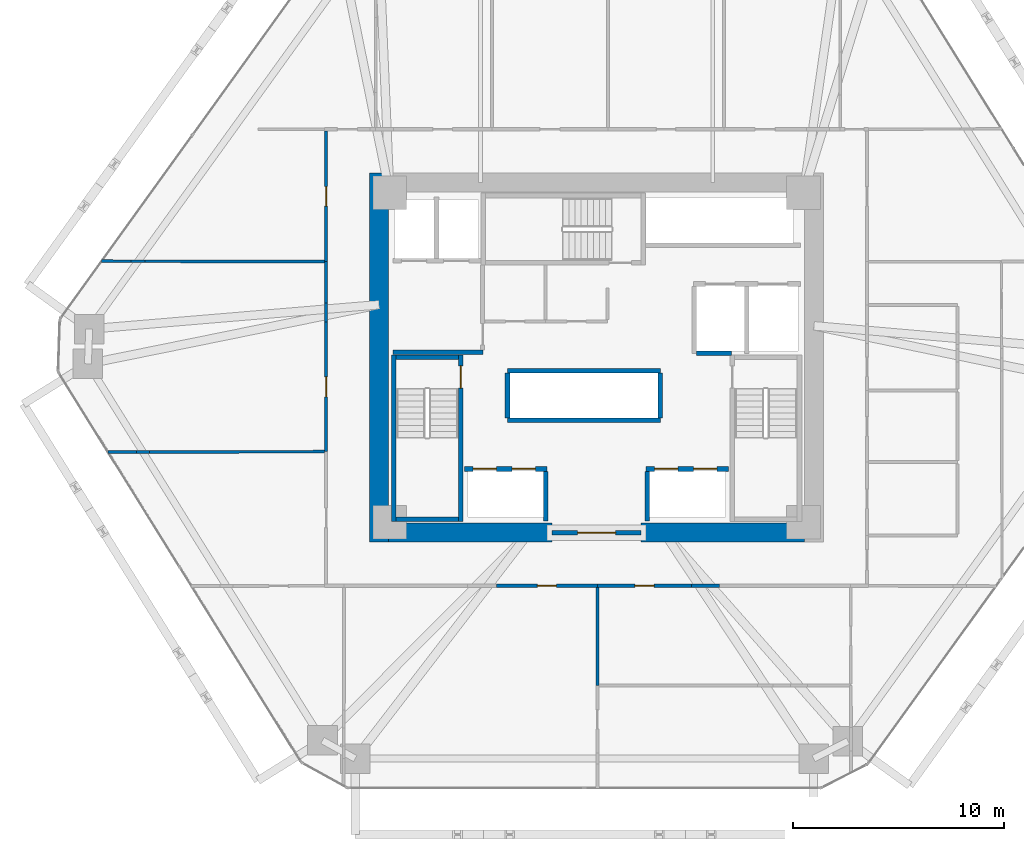
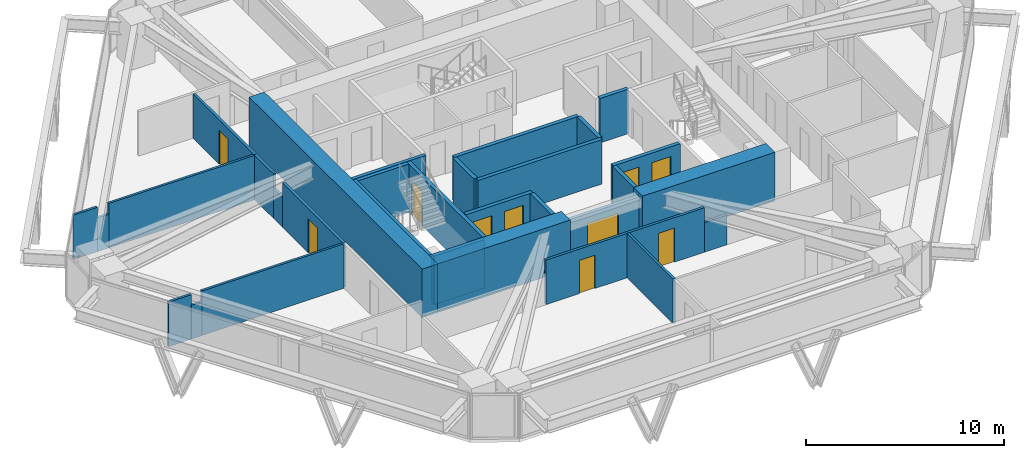
# One storey, part 11 of 15: 32 walls, 10 doors, 10 openings.
"""IFC4 building model written with IfcOpenShell, lengths in metres."""

from ifc_helpers import new_model, si_unit, direction, frame, frame_2d, origin, place, context, subcontext, project, spatial, rectangle, extrude, source, transform, mapped, material, layer, layer_set, type_object, type_shapes, element, fill, save


model = new_model("IFC4")

# Units and contexts
model_context = context("Model", 3, precision=1e-05, world=origin(), true_north=direction((0.0, 1.0)))
body_context = subcontext(model_context, "Body", "Model", "MODEL_VIEW")
ifc_project = project(units=[si_unit("LENGTHUNIT", "METRE"), si_unit("AREAUNIT", "SQUARE_METRE"), si_unit("VOLUMEUNIT", "CUBIC_METRE"), si_unit("PLANEANGLEUNIT", "RADIAN"), si_unit("MASSUNIT", "GRAM", prefix="KILO")], contexts=[model_context])

# Site, building, storey
site_placement = place(None, origin())
site = spatial("IfcSite", under=ifc_project, at=site_placement, CompositionType="ELEMENT")
building_placement = place(site_placement, origin())
building = spatial("IfcBuilding", under=site, at=building_placement, Name="Durnholm Broadcast Tower", CompositionType="ELEMENT")
storey_placement = place(building_placement, frame((0.0, 0.0, 75.300048828125)))
storey = spatial("IfcBuildingStorey", under=building, at=storey_placement, Name="L19", CompositionType="ELEMENT", Elevation=75.300048828125)

# Walls
ifc_material_1 = material(Name="Concrete C70/85", Category="concrete")
ifc_layer_1 = layer(ifc_material_1, 0.89990234375)
ifc_layer_set_1 = layer_set([ifc_layer_1], Name="Concrete C70/85")
wall_type_1 = type_object("IfcWallType", Name="WALL-CW-900", PredefinedType="SHEAR", material=ifc_layer_set_1)
wall_1_placement = place(storey_placement, frame((-10.300048828125, -8.75, 0.0), z_axis=(0.0, 0.0, 1.0), x_axis=(0.0, 1.0, 0.0)))
element("IfcWall", 1, at=wall_1_placement, inside=storey, type_object=wall_type_1, Name="L19 central core shear wall CW-WEST", PredefinedType="SHEAR", context=body_context, shape_type="SweptSolid", body=[
    extrude(rectangle(XDim=17.5, YDim=0.89990234375, at=frame_2d((8.75, 0.0))), origin(), (0.0, 0.0, 1.0), 3.0),
])
for number, where, z_axis, x_axis, name in (
    (2, (-9.85009765625, -8.300048828125, 0.0), (0.0, 0.0, 1.0), (1.0, 0.0, 0.0), "L19 central core shear wall CW-S1"),
    (3, (2.10009765625, -8.300048828125, 0.0), (0.0, 0.0, 1.0), (1.0, 0.0, 0.0), "L19 central core shear wall CW-S2"),
):
    element("IfcWall", number, at=place(storey_placement, frame(where, z_axis=z_axis, x_axis=x_axis)), inside=storey, type_object=wall_type_1, Name=name, PredefinedType="SHEAR", context=body_context, shape_type="SweptSolid", body=[
        extrude(rectangle(XDim=7.75, YDim=0.89990234375, at=frame_2d((3.875, 0.0))), origin(), (0.0, 0.0, 1.0), 3.0),
    ])

# Wall, opening, door
ifc_material_2 = material(Name="Fire-Rated Gypsum Shaftwall", Category="concrete")
ifc_layer_2 = layer(ifc_material_2, 0.199951171875)
ifc_layer_set_2 = layer_set([ifc_layer_2], Name="Fire-Rated Gypsum Shaftwall")
wall_type_2 = type_object("IfcWallType", Name="WALL-LOB-200", PredefinedType="SOLIDWALL", material=ifc_layer_set_2)
wall_2_placement = place(storey_placement, frame((-2.10009765625, -8.300048828125, 0.0), z_axis=(0.0, 0.0, 1.0), x_axis=(1.0, 0.0, 0.0)))
wall_2 = element("IfcWall", 4, at=wall_2_placement, inside=storey, type_object=wall_type_2, Name="L19 south core lobby fire screen", PredefinedType="SOLIDWALL", context=body_context, shape_type="SweptSolid", body=[
    extrude(rectangle(XDim=4.2001953125, YDim=0.199951171875, at=frame_2d((2.10009765625, 0.0))), origin(), (0.0, 0.0, 1.0), 2.744873046875),
])
opening_1_placement = place(wall_2_placement, frame((1.199951171875, 0.0, 0.0)))
opening_1 = element("IfcOpeningElement", 5, at=opening_1_placement, cuts=wall_2, Name="Opening DP-60", PredefinedType="OPENING", context=body_context, shape_type="SweptSolid", body=[
    extrude(rectangle(XDim=1.800048828125, YDim=2.14990234375, at=frame_2d((0.89990234375, 1.074951171875))), frame((0.0, 0.10986328125, 0.0), z_axis=(0.0, -1.0, 0.0), x_axis=(1.0, 0.0, 0.0)), (0.0, 0.0, 1.0), 0.219970703125),
])
ifc_material_3 = material(Name="Fire-Rated Double Corridor Door", Category="steel")
ifc_layer_3 = layer(ifc_material_3, 0.050048828125)
ifc_layer_set_3 = layer_set([ifc_layer_3], Name="Fire-Rated Double Corridor Door")
door_type_1 = type_object("IfcDoorType", Name="DOOR-PAIR-FD60", OperationType="DOUBLE_DOOR_SINGLE_SWING", PredefinedType="DOOR", material=ifc_layer_set_3)
shared_shape_1 = source(origin(), body_context, "Body", "SweptSolid", [
    extrude(rectangle(XDim=1.800048828125, YDim=2.14990234375, at=frame_2d((0.89990234375, 1.074951171875))), frame((0.0, 0.02490234375, 0.0), z_axis=(0.0, -1.0, 0.0), x_axis=(1.0, 0.0, 0.0)), (0.0, 0.0, 1.0), 0.050048828125),
])
type_shapes(door_type_1, [shared_shape_1])
door_1_placement = place(opening_1_placement, origin())
door_1 = element("IfcDoor", 6, at=door_1_placement, inside=storey, type_object=door_type_1, Name="L19 south core lobby double fire door", OperationType="DOUBLE_DOOR_SINGLE_SWING", OverallHeight=2.14990234375, OverallWidth=1.800048828125, PredefinedType="DOOR", context=body_context, shape_type="MappedRepresentation", body=[
    mapped(shared_shape_1, transform((0.0, 0.0, 0.0), x_axis=(1.0, 0.0, 0.0), y_axis=(0.0, 1.0, 0.0), z_axis=(0.0, 0.0, 1.0), scale=1.0)),
])
fill(opening_1, door_1)

# Walls
wall_3_placement = place(storey_placement, frame((-9.64990234375, 0.25, 0.0), z_axis=(0.0, 0.0, 1.0), x_axis=(1.0, 0.0, 0.0)))
element("IfcWall", 7, at=wall_3_placement, inside=storey, type_object=wall_type_2, Name="L19 Fire Service Access Elevator lobby south wall", PredefinedType="SOLIDWALL", context=body_context, shape_type="SweptSolid", body=[
    extrude(rectangle(XDim=4.27001953125, YDim=0.199951171875, at=frame_2d((2.135009765625, 0.0))), origin(), (0.0, 0.0, 1.0), 2.744873046875),
])
ifc_material_4 = material(Name="Gypsum Metal Stud Partition", Category="concrete")
ifc_layer_4 = layer(ifc_material_4, 0.135009765625)
ifc_layer_set_4 = layer_set([ifc_layer_4], Name="Gypsum Metal Stud Partition")
wall_type_3 = type_object("IfcWallType", Name="WALL-PART-135", PredefinedType="PARTITIONING", material=ifc_layer_set_4)
wall_4_placement = place(storey_placement, frame((0.0400390625, -10.888916015625, 0.0), z_axis=(0.0, 0.0, 1.0), x_axis=(0.0, -1.0, 0.0)))
element("IfcWall", 8, at=wall_4_placement, inside=storey, type_object=wall_type_3, Name="L19 room dividing partition 13.15", PredefinedType="PARTITIONING", context=body_context, shape_type="SweptSolid", body=[
    extrude(rectangle(XDim=4.656005859375, YDim=0.135009765625, at=frame_2d((2.328125, 0.0))), origin(), (0.0, 0.0, 1.0), 2.744873046875),
])
wall_5_placement = place(storey_placement, frame((-23.13623046875, -4.481201171875, 0.0), z_axis=(0.0, 0.0, 1.0), x_axis=(0.999997979486, 0.002010229856, 0.0)))
element("IfcWall", 9, at=wall_5_placement, inside=storey, type_object=wall_type_3, Name="L19 room dividing partition 17.18", PredefinedType="PARTITIONING", context=body_context, shape_type="SweptSolid", body=[
    extrude(rectangle(XDim=1.3359375, YDim=0.135009765625, at=frame_2d((0.66796875, 0.0))), origin(), (0.0, 0.0, 1.0), 2.744873046875),
])
wall_6_placement = place(storey_placement, frame((-21.177978515625, -4.47705078125, 0.0), z_axis=(0.0, 0.0, 1.0), x_axis=(0.999997934924, 0.00203227667, 0.0)))
element("IfcWall", 10, at=wall_6_placement, inside=storey, type_object=wall_type_3, Name="L19 room dividing partition 17.18", PredefinedType="PARTITIONING", context=body_context, shape_type="SweptSolid", body=[
    extrude(rectangle(XDim=8.2890625, YDim=0.135009765625, at=frame_2d((4.14453125, 0.0))), origin(), (0.0, 0.0, 1.0), 2.744873046875),
])
wall_7_placement = place(storey_placement, frame((-21.80029296875, -4.478515625, 0.0), z_axis=(0.0, 0.0, 1.0), x_axis=(0.999997229673, 0.00235385774, 0.0)))
element("IfcWall", 11, at=wall_7_placement, inside=storey, type_object=wall_type_3, Name="L19 room dividing partition 17.18", PredefinedType="PARTITIONING", context=body_context, shape_type="SweptSolid", body=[
    extrude(rectangle(XDim=0.622314453125, YDim=0.135009765625, at=frame_2d((0.31103515625, 0.0))), origin(), (0.0, 0.0, 1.0), 2.079833984375),
])
wall_8_placement = place(storey_placement, frame((-23.4423828125, 4.5634765625, 0.0), z_axis=(0.0, 0.0, 1.0), x_axis=(0.999997421875, -0.002270736504, 0.0)))
element("IfcWall", 12, at=wall_8_placement, inside=storey, type_object=wall_type_3, Name="L19 room dividing partition 18.19", PredefinedType="PARTITIONING", context=body_context, shape_type="SweptSolid", body=[
    extrude(rectangle(XDim=1.397705078125, YDim=0.135009765625, at=frame_2d((0.69873046875, 0.0))), origin(), (0.0, 0.0, 1.0), 2.744873046875),
])
wall_9_placement = place(storey_placement, frame((-21.393310546875, 4.558837890625, 0.0), z_axis=(0.0, 0.0, 1.0), x_axis=(0.999997619934, -0.002181771233, 0.0)))
element("IfcWall", 13, at=wall_9_placement, inside=storey, type_object=wall_type_3, Name="L19 room dividing partition 18.19", PredefinedType="PARTITIONING", context=body_context, shape_type="SweptSolid", body=[
    extrude(rectangle(XDim=8.50439453125, YDim=0.135009765625, at=frame_2d((4.252197265625, 0.0))), origin(), (0.0, 0.0, 1.0), 2.744873046875),
])
wall_10_placement = place(storey_placement, frame((-22.044677734375, 4.560302734375, 0.0), z_axis=(0.0, 0.0, 1.0), x_axis=(0.999997471289, -0.002248869875, 0.0)))
element("IfcWall", 14, at=wall_10_placement, inside=storey, type_object=wall_type_3, Name="L19 room dividing partition 18.19", PredefinedType="PARTITIONING", context=body_context, shape_type="SweptSolid", body=[
    extrude(rectangle(XDim=0.6513671875, YDim=0.135009765625, at=frame_2d((0.32568359375, 0.0))), origin(), (0.0, 0.0, 1.0), 2.079833984375),
])

# Wall, opening, door
ifc_material_5 = material(Name="Acoustic Gypsum Stud Partition", Category="concrete")
ifc_layer_5 = layer(ifc_material_5, 0.14990234375)
ifc_layer_set_5 = layer_set([ifc_layer_5], Name="Acoustic Gypsum Stud Partition")
wall_type_4 = type_object("IfcWallType", Name="WALL-PART-150", PredefinedType="PARTITIONING", material=ifc_layer_set_5)
wall_11_placement = place(storey_placement, frame((-4.749755859375, -10.81005859375, 0.0), z_axis=(0.0, 0.0, 1.0), x_axis=(1.0, 0.0, 0.0)))
wall_11 = element("IfcWall", 15, at=wall_11_placement, inside=storey, type_object=wall_type_4, Name="L19 Archive Store corridor partition", PredefinedType="PARTITIONING", context=body_context, shape_type="SweptSolid", body=[
    extrude(rectangle(XDim=4.789794921875, YDim=0.14990234375, at=frame_2d((2.39501953125, 0.0))), origin(), (0.0, 0.0, 1.0), 2.744873046875),
])
opening_2_placement = place(wall_11_placement, frame((1.94482421875, 0.0, 0.0)))
opening_2 = element("IfcOpeningElement", 16, at=opening_2_placement, cuts=wall_11, Name="Opening DC-60L", PredefinedType="OPENING", context=body_context, shape_type="SweptSolid", body=[
    extrude(rectangle(XDim=0.89990234375, YDim=2.050048828125, at=frame_2d((0.449951171875, 1.02490234375))), frame((0.0, 0.0849609375, 0.0), z_axis=(0.0, -1.0, 0.0), x_axis=(1.0, 0.0, 0.0)), (0.0, 0.0, 1.0), 0.169921875),
])
ifc_material_6 = material(Name="Fire-Rated Core Service Door", Category="steel")
ifc_layer_6 = layer(ifc_material_6, 0.050048828125)
ifc_layer_set_6 = layer_set([ifc_layer_6], Name="Fire-Rated Core Service Door")
door_type_2 = type_object("IfcDoorType", Name="DOOR-CORE-FD60-L", OperationType="NOTDEFINED", PredefinedType="DOOR", material=ifc_layer_set_6)
shared_shape_2 = source(origin(), body_context, "Body", "SweptSolid", [
    extrude(rectangle(XDim=0.89990234375, YDim=2.050048828125, at=frame_2d((0.449951171875, 1.02490234375))), frame((0.0, 0.02490234375, 0.0), z_axis=(0.0, -1.0, 0.0), x_axis=(1.0, 0.0, 0.0)), (0.0, 0.0, 1.0), 0.050048828125),
])
type_shapes(door_type_2, [shared_shape_2])
door_2_placement = place(opening_2_placement, origin())
door_2 = element("IfcDoor", 17, at=door_2_placement, inside=storey, type_object=door_type_2, Name="L19 Archive Store entrance door", OperationType="SINGLE_SWING_LEFT", OverallHeight=2.050048828125, OverallWidth=0.89990234375, PredefinedType="DOOR", context=body_context, shape_type="MappedRepresentation", body=[
    mapped(shared_shape_2, transform((0.0, 0.0, 0.0), x_axis=(1.0, 0.0, 0.0), y_axis=(0.0, 1.0, 0.0), z_axis=(0.0, 0.0, 1.0), scale=1.0)),
])
fill(opening_2, door_2)

wall_12_placement = place(storey_placement, frame((0.0400390625, -10.81005859375, 0.0), z_axis=(0.0, 0.0, 1.0), x_axis=(1.0, 0.0, 0.0)))
wall_12 = element("IfcWall", 18, at=wall_12_placement, inside=storey, type_object=wall_type_4, Name="L19 Documentary Office 1 corridor partition", PredefinedType="PARTITIONING", context=body_context, shape_type="SweptSolid", body=[
    extrude(rectangle(XDim=4.459228515625, YDim=0.14990234375, at=frame_2d((2.2294921875, 0.0))), origin(), (0.0, 0.0, 1.0), 2.744873046875),
])
opening_3_placement = place(wall_12_placement, frame((1.76953125, 0.0, 0.0)))
opening_3 = element("IfcOpeningElement", 19, at=opening_3_placement, cuts=wall_12, Name="Opening DR-92R", PredefinedType="OPENING", context=body_context, shape_type="SweptSolid", body=[
    extrude(rectangle(XDim=0.919921875, YDim=2.10009765625, at=frame_2d((0.4599609375, 1.050048828125))), frame((0.0, 0.0849609375, 0.0), z_axis=(0.0, -1.0, 0.0), x_axis=(1.0, 0.0, 0.0)), (0.0, 0.0, 1.0), 0.169921875),
])
ifc_material_7 = material(Name="Oak Veneer Office Door", Category="wood")
ifc_layer_7 = layer(ifc_material_7, 0.050048828125)
ifc_layer_set_7 = layer_set([ifc_layer_7], Name="Oak Veneer Office Door")
door_type_3 = type_object("IfcDoorType", Name="DOOR-RM-920R", OperationType="NOTDEFINED", PredefinedType="DOOR", material=ifc_layer_set_7)
shared_shape_3 = source(origin(), body_context, "Body", "SweptSolid", [
    extrude(rectangle(XDim=0.919921875, YDim=2.10009765625, at=frame_2d((0.4599609375, 1.050048828125))), frame((0.0, 0.02490234375, 0.0), z_axis=(0.0, -1.0, 0.0), x_axis=(1.0, 0.0, 0.0)), (0.0, 0.0, 1.0), 0.050048828125),
])
type_shapes(door_type_3, [shared_shape_3])
door_3_placement = place(opening_3_placement, origin())
door_3 = element("IfcDoor", 20, at=door_3_placement, inside=storey, type_object=door_type_3, Name="L19 Documentary Office 1 entrance door", OperationType="SINGLE_SWING_RIGHT", OverallHeight=2.10009765625, OverallWidth=0.919921875, PredefinedType="DOOR", context=body_context, shape_type="MappedRepresentation", body=[
    mapped(shared_shape_3, transform((0.0, 0.0, 0.0), x_axis=(1.0, 0.0, 0.0), y_axis=(0.0, 1.0, 0.0), z_axis=(0.0, 0.0, 1.0), scale=1.0)),
])
fill(opening_3, door_3)

# Walls
wall_13_placement = place(storey_placement, frame((4.499267578125, -10.81005859375, 0.0), z_axis=(0.0, 0.0, 1.0), x_axis=(1.0, 0.0, 0.0)))
element("IfcWall", 21, at=wall_13_placement, inside=storey, type_object=wall_type_4, Name="L19 Documentary Office 1 corridor partition", PredefinedType="PARTITIONING", context=body_context, shape_type="SweptSolid", body=[
    extrude(rectangle(XDim=1.318115234375, YDim=0.14990234375, at=frame_2d((0.6591796875, 0.0))), origin(), (0.0, 0.0, 1.0), 1.830078125),
])
wall_14_placement = place(storey_placement, frame((-12.81005859375, 4.5400390625, 0.0), z_axis=(0.0, 0.0, 1.0), x_axis=(0.0, -1.0, 0.0)))
element("IfcWall", 22, at=wall_14_placement, inside=storey, type_object=wall_type_4, Name="L19 Post Edit Office 2 corridor partition", PredefinedType="PARTITIONING", context=body_context, shape_type="SweptSolid", body=[
    extrude(rectangle(XDim=1.94775390625, YDim=0.14990234375, at=frame_2d((0.973876953125, 0.0))), origin(), (0.0, 0.0, 1.0), 2.744873046875),
])

# Wall, opening, door
wall_15_placement = place(storey_placement, frame((-12.81005859375, 1.682373046875, 0.0), z_axis=(0.0, 0.0, 1.0), x_axis=(0.0, -1.0, 0.0)))
wall_15 = element("IfcWall", 23, at=wall_15_placement, inside=storey, type_object=wall_type_4, Name="L19 Post Edit Office 2 corridor partition", PredefinedType="PARTITIONING", context=body_context, shape_type="SweptSolid", body=[
    extrude(rectangle(XDim=6.142333984375, YDim=0.14990234375, at=frame_2d((3.0712890625, 0.0))), origin(), (0.0, 0.0, 1.0), 2.744873046875),
])
opening_4_placement = place(wall_15_placement, frame((2.59619140625, 0.0, 0.0)))
opening_4 = element("IfcOpeningElement", 24, at=opening_4_placement, cuts=wall_15, Name="Opening DR-95L", PredefinedType="OPENING", context=body_context, shape_type="SweptSolid", body=[
    extrude(rectangle(XDim=0.949951171875, YDim=2.10009765625, at=frame_2d((0.47509765625, 1.050048828125))), frame((0.0, 0.0849609375, 0.0), z_axis=(0.0, -1.0, 0.0), x_axis=(1.0, 0.0, 0.0)), (0.0, 0.0, 1.0), 0.169921875),
])
ifc_material_8 = material(Name="Acoustic Oak Veneer Timber Door", Category="wood")
ifc_layer_8 = layer(ifc_material_8, 0.050048828125)
ifc_layer_set_8 = layer_set([ifc_layer_8], Name="Acoustic Oak Veneer Timber Door")
door_type_4 = type_object("IfcDoorType", Name="DOOR-RM-950L", OperationType="NOTDEFINED", PredefinedType="DOOR", material=ifc_layer_set_8)
shared_shape_4 = source(origin(), body_context, "Body", "SweptSolid", [
    extrude(rectangle(XDim=0.949951171875, YDim=2.10009765625, at=frame_2d((0.47509765625, 1.050048828125))), frame((0.0, 0.02490234375, 0.0), z_axis=(0.0, -1.0, 0.0), x_axis=(1.0, 0.0, 0.0)), (0.0, 0.0, 1.0), 0.050048828125),
])
type_shapes(door_type_4, [shared_shape_4])
door_4_placement = place(opening_4_placement, origin())
door_4 = element("IfcDoor", 25, at=door_4_placement, inside=storey, type_object=door_type_4, Name="L19 Post Edit Office 2 entrance door", OperationType="SINGLE_SWING_LEFT", OverallHeight=2.10009765625, OverallWidth=0.949951171875, PredefinedType="DOOR", context=body_context, shape_type="MappedRepresentation", body=[
    mapped(shared_shape_4, transform((0.0, 0.0, 0.0), x_axis=(1.0, 0.0, 0.0), y_axis=(0.0, 1.0, 0.0), z_axis=(0.0, 0.0, 1.0), scale=1.0)),
])
fill(opening_4, door_4)

# Wall
wall_16_placement = place(storey_placement, frame((-12.81005859375, 2.59228515625, 0.0), z_axis=(0.0, 0.0, 1.0), x_axis=(0.0, -1.0, 0.0)))
element("IfcWall", 26, at=wall_16_placement, inside=storey, type_object=wall_type_4, Name="L19 Post Edit Office 2 corridor partition", PredefinedType="PARTITIONING", context=body_context, shape_type="SweptSolid", body=[
    extrude(rectangle(XDim=0.909912109375, YDim=0.14990234375, at=frame_2d((0.455078125, 0.0))), origin(), (0.0, 0.0, 1.0), 1.830078125),
])

# Wall, opening, door
wall_17_placement = place(storey_placement, frame((-12.81005859375, 10.73095703125, 0.0), z_axis=(0.0, 0.0, 1.0), x_axis=(0.0, -1.0, 0.0)))
wall_17 = element("IfcWall", 27, at=wall_17_placement, inside=storey, type_object=wall_type_4, Name="L19 Foley Office corridor partition", PredefinedType="PARTITIONING", context=body_context, shape_type="SweptSolid", body=[
    extrude(rectangle(XDim=6.19091796875, YDim=0.14990234375, at=frame_2d((3.095458984375, 0.0))), origin(), (0.0, 0.0, 1.0), 2.744873046875),
])
opening_5_placement = place(wall_17_placement, frame((2.635498046875, 0.0, 0.0)))
opening_5 = element("IfcOpeningElement", 28, at=opening_5_placement, cuts=wall_17, Name="Opening DR-92R", PredefinedType="OPENING", context=body_context, shape_type="SweptSolid", body=[
    extrude(rectangle(XDim=0.919921875, YDim=2.10009765625, at=frame_2d((0.4599609375, 1.050048828125))), frame((0.0, 0.0849609375, 0.0), z_axis=(0.0, -1.0, 0.0), x_axis=(1.0, 0.0, 0.0)), (0.0, 0.0, 1.0), 0.169921875),
])
door_5_placement = place(opening_5_placement, origin())
door_5 = element("IfcDoor", 29, at=door_5_placement, inside=storey, type_object=door_type_3, Name="L19 Foley Office entrance door", OperationType="SINGLE_SWING_RIGHT", OverallHeight=2.10009765625, OverallWidth=0.919921875, PredefinedType="DOOR", context=body_context, shape_type="MappedRepresentation", body=[
    mapped(shared_shape_3, transform((0.0, 0.0, 0.0), x_axis=(1.0, 0.0, 0.0), y_axis=(0.0, 1.0, 0.0), z_axis=(0.0, 0.0, 1.0), scale=1.0)),
])
fill(opening_5, door_5)

# Wall
ifc_material_9 = material(Name="Concrete Blockwork C30/37", Category="masonry")
ifc_layer_9 = layer(ifc_material_9, 0.219970703125)
ifc_layer_set_9 = layer_set([ifc_layer_9], Name="Concrete Blockwork C30/37")
wall_type_5 = type_object("IfcWallType", Name="WALL-SHAFT-220", PredefinedType="SOLIDWALL", material=ifc_layer_set_9)
wall_18_placement = place(storey_placement, frame((4.73388671875, 0.199951171875, 0.0), z_axis=(0.0, 0.0, 1.0), x_axis=(1.0, 0.0, 0.0)))
element("IfcWall", 30, at=wall_18_placement, inside=storey, type_object=wall_type_5, Name="L19 freight service lift SVL-2 south wall", PredefinedType="SOLIDWALL", context=body_context, shape_type="SweptSolid", body=[
    extrude(rectangle(XDim=1.666015625, YDim=0.219970703125, at=frame_2d((0.8330078125, 0.0))), origin(), (0.0, 0.0, 1.0), 2.744873046875),
])

# Wall, openings, doors
wall_19_placement = place(storey_placement, frame((-6.25, -5.280029296875, 0.0), z_axis=(0.0, 0.0, 1.0), x_axis=(1.0, 0.0, 0.0)))
wall_19 = element("IfcWall", 31, at=wall_19_placement, inside=storey, type_object=wall_type_5, Name="L19 low-rise bank P1 west front wall", PredefinedType="SOLIDWALL", context=body_context, shape_type="SweptSolid", body=[
    extrude(rectangle(XDim=3.89990234375, YDim=0.219970703125, at=frame_2d((1.949951171875, 0.0))), origin(), (0.0, 0.0, 1.0), 2.744873046875),
])
opening_6_placement = place(wall_19_placement, frame((0.39990234375, 0.0, 0.0)))
opening_6 = element("IfcOpeningElement", 32, at=opening_6_placement, cuts=wall_19, Name="Opening LD-LP1-1", PredefinedType="OPENING", context=body_context, shape_type="SweptSolid", body=[
    extrude(rectangle(XDim=1.10009765625, YDim=2.14990234375, at=frame_2d((0.550048828125, 1.074951171875))), frame((0.0, 0.1201171875, 0.0), z_axis=(0.0, -1.0, 0.0), x_axis=(1.0, 0.0, 0.0)), (0.0, 0.0, 1.0), 0.239990234375),
])
opening_7_placement = place(wall_19_placement, frame((2.25, 0.0, 0.0)))
opening_7 = element("IfcOpeningElement", 33, at=opening_7_placement, cuts=wall_19, Name="Opening LD-LP1-2", PredefinedType="OPENING", context=body_context, shape_type="SweptSolid", body=[
    extrude(rectangle(XDim=1.10009765625, YDim=2.14990234375, at=frame_2d((0.550048828125, 1.074951171875))), frame((0.0, 0.1201171875, 0.0), z_axis=(0.0, -1.0, 0.0), x_axis=(1.0, 0.0, 0.0)), (0.0, 0.0, 1.0), 0.239990234375),
])
ifc_material_10 = material(Name="Stainless Steel Sliding Elevator Landing Door", Category="steel")
ifc_layer_10 = layer(ifc_material_10, 0.050048828125)
ifc_layer_set_10 = layer_set([ifc_layer_10], Name="Stainless Steel Sliding Elevator Landing Door")
door_type_5 = type_object("IfcDoorType", Name="DOOR-LIFT-PAX", OperationType="DOUBLE_DOOR_SLIDING", PredefinedType="DOOR", material=ifc_layer_set_10)
shared_shape_5 = source(origin(), body_context, "Body", "SweptSolid", [
    extrude(rectangle(XDim=1.10009765625, YDim=2.14990234375, at=frame_2d((0.550048828125, 1.074951171875))), frame((0.0, 0.02490234375, 0.0), z_axis=(0.0, -1.0, 0.0), x_axis=(1.0, 0.0, 0.0)), (0.0, 0.0, 1.0), 0.050048828125),
])
type_shapes(door_type_5, [shared_shape_5])
door_6_placement = place(opening_6_placement, origin())
door_6 = element("IfcDoor", 34, at=door_6_placement, inside=storey, type_object=door_type_5, Name="L19 passenger elevator LP1-1 sliding landing door", OperationType="DOUBLE_DOOR_SLIDING", OverallHeight=2.14990234375, OverallWidth=1.10009765625, PredefinedType="DOOR", context=body_context, shape_type="MappedRepresentation", body=[
    mapped(shared_shape_5, transform((0.0, 0.0, 0.0), x_axis=(1.0, 0.0, 0.0), y_axis=(0.0, 1.0, 0.0), z_axis=(0.0, 0.0, 1.0), scale=1.0)),
])
fill(opening_6, door_6)
door_7_placement = place(opening_7_placement, origin())
door_7 = element("IfcDoor", 35, at=door_7_placement, inside=storey, type_object=door_type_5, Name="L19 passenger elevator LP1-2 sliding landing door", OperationType="DOUBLE_DOOR_SLIDING", OverallHeight=2.14990234375, OverallWidth=1.10009765625, PredefinedType="DOOR", context=body_context, shape_type="MappedRepresentation", body=[
    mapped(shared_shape_5, transform((0.0, 0.0, 0.0), x_axis=(1.0, 0.0, 0.0), y_axis=(0.0, 1.0, 0.0), z_axis=(0.0, 0.0, 1.0), scale=1.0)),
])
fill(opening_7, door_7)

wall_20_placement = place(storey_placement, frame((2.35009765625, -5.280029296875, 0.0), z_axis=(0.0, 0.0, 1.0), x_axis=(1.0, 0.0, 0.0)))
wall_20 = element("IfcWall", 36, at=wall_20_placement, inside=storey, type_object=wall_type_5, Name="L19 low-rise bank P1 east front wall", PredefinedType="SOLIDWALL", context=body_context, shape_type="SweptSolid", body=[
    extrude(rectangle(XDim=3.89990234375, YDim=0.219970703125, at=frame_2d((1.949951171875, 0.0))), origin(), (0.0, 0.0, 1.0), 2.744873046875),
])
opening_8_placement = place(wall_20_placement, frame((0.39990234375, 0.0, 0.0)))
opening_8 = element("IfcOpeningElement", 37, at=opening_8_placement, cuts=wall_20, Name="Opening LD-LP1-3", PredefinedType="OPENING", context=body_context, shape_type="SweptSolid", body=[
    extrude(rectangle(XDim=1.10009765625, YDim=2.14990234375, at=frame_2d((0.550048828125, 1.074951171875))), frame((0.0, 0.1201171875, 0.0), z_axis=(0.0, -1.0, 0.0), x_axis=(1.0, 0.0, 0.0)), (0.0, 0.0, 1.0), 0.239990234375),
])
opening_9_placement = place(wall_20_placement, frame((2.25, 0.0, 0.0)))
opening_9 = element("IfcOpeningElement", 38, at=opening_9_placement, cuts=wall_20, Name="Opening LD-LP1-4", PredefinedType="OPENING", context=body_context, shape_type="SweptSolid", body=[
    extrude(rectangle(XDim=1.10009765625, YDim=2.14990234375, at=frame_2d((0.550048828125, 1.074951171875))), frame((0.0, 0.1201171875, 0.0), z_axis=(0.0, -1.0, 0.0), x_axis=(1.0, 0.0, 0.0)), (0.0, 0.0, 1.0), 0.239990234375),
])
door_8_placement = place(opening_8_placement, origin())
door_8 = element("IfcDoor", 39, at=door_8_placement, inside=storey, type_object=door_type_5, Name="L19 passenger elevator LP1-3 sliding landing door", OperationType="DOUBLE_DOOR_SLIDING", OverallHeight=2.14990234375, OverallWidth=1.10009765625, PredefinedType="DOOR", context=body_context, shape_type="MappedRepresentation", body=[
    mapped(shared_shape_5, transform((0.0, 0.0, 0.0), x_axis=(1.0, 0.0, 0.0), y_axis=(0.0, 1.0, 0.0), z_axis=(0.0, 0.0, 1.0), scale=1.0)),
])
fill(opening_8, door_8)
door_9_placement = place(opening_9_placement, origin())
door_9 = element("IfcDoor", 40, at=door_9_placement, inside=storey, type_object=door_type_5, Name="L19 passenger elevator LP1-4 sliding landing door", OperationType="DOUBLE_DOOR_SLIDING", OverallHeight=2.14990234375, OverallWidth=1.10009765625, PredefinedType="DOOR", context=body_context, shape_type="MappedRepresentation", body=[
    mapped(shared_shape_5, transform((0.0, 0.0, 0.0), x_axis=(1.0, 0.0, 0.0), y_axis=(0.0, 1.0, 0.0), z_axis=(0.0, 0.0, 1.0), scale=1.0)),
])
fill(opening_9, door_9)

# Walls
for number, where, z_axis, x_axis, name in (
    (41, (-2.39990234375, -7.75, 0.0), (0.0, 0.0, 1.0), (0.0, 1.0, 0.0), "L19 low-rise bank P1 west mouth wall"),
    (42, (2.39990234375, -7.75, 0.0), (0.0, 0.0, 1.0), (0.0, 1.0, 0.0), "L19 low-rise bank P1 east mouth wall"),
):
    element("IfcWall", number, at=place(storey_placement, frame(where, z_axis=z_axis, x_axis=x_axis)), inside=storey, type_object=wall_type_5, Name=name, PredefinedType="SOLIDWALL", context=body_context, shape_type="SweptSolid", body=[
        extrude(rectangle(XDim=2.35595703125, YDim=0.219970703125, at=frame_2d((1.177978515625, 0.0))), origin(), (0.0, 0.0, 1.0), 2.744873046875),
    ])
for number, where, z_axis, x_axis, name in (
    (43, (-4.219970703125, -2.97998046875, 0.0), (0.0, 0.0, 1.0), (1.0, 0.0, 0.0), "L19 mid-rise bank P2 south front wall"),
    (44, (-4.219970703125, -0.6201171875, 0.0), (0.0, 0.0, 1.0), (1.0, 0.0, 0.0), "L19 mid-rise bank P2 north shaft wall"),
):
    element("IfcWall", number, at=place(storey_placement, frame(where, z_axis=z_axis, x_axis=x_axis)), inside=storey, type_object=wall_type_5, Name=name, PredefinedType="SOLIDWALL", context=body_context, shape_type="SweptSolid", body=[
        extrude(rectangle(XDim=7.239990234375, YDim=0.219970703125, at=frame_2d((3.6201171875, 0.0))), origin(), (0.0, 0.0, 1.0), 2.744873046875),
    ])
for number, where, z_axis, x_axis, name in (
    (45, (-4.219970703125, -2.865966796875, 0.0), (0.0, 0.0, 1.0), (0.0, 1.0, 0.0), "L19 mid-rise bank P2 west shaft wall"),
    (46, (3.02001953125, -2.865966796875, 0.0), (0.0, 0.0, 1.0), (0.0, 1.0, 0.0), "L19 mid-rise bank P2 east shaft wall"),
):
    element("IfcWall", number, at=place(storey_placement, frame(where, z_axis=z_axis, x_axis=x_axis)), inside=storey, type_object=wall_type_5, Name=name, PredefinedType="SOLIDWALL", context=body_context, shape_type="SweptSolid", body=[
        extrude(rectangle(XDim=2.132080078125, YDim=0.219970703125, at=frame_2d((1.06591796875, 0.0))), origin(), (0.0, 0.0, 1.0), 2.744873046875),
    ])

# Wall, opening, door
ifc_material_11 = material(Name="Concrete C50/60", Category="concrete")
ifc_layer_11 = layer(ifc_material_11, 0.219970703125)
ifc_layer_set_11 = layer_set([ifc_layer_11], Name="Concrete C50/60")
wall_type_6 = type_object("IfcWallType", Name="WALL-SW-220", PredefinedType="SHEAR", material=ifc_layer_set_11)
wall_21_placement = place(storey_placement, frame((-6.429931640625, -7.77001953125, -0.239990234375), z_axis=(0.0, 0.0, 1.0), x_axis=(0.0, 1.0, 0.0)))
wall_21 = element("IfcWall", 47, at=wall_21_placement, inside=storey, type_object=wall_type_6, Name="L19 stair ST-1 structural shaft wall E", PredefinedType="SHEAR", context=body_context, shape_type="SweptSolid", body=[
    extrude(rectangle(XDim=7.89013671875, YDim=0.219970703125, at=frame_2d((3.945068359375, 0.0))), origin(), (0.0, 0.0, 1.0), 3.0),
])
opening_10_placement = place(wall_21_placement, frame((6.320068359375, 0.0, 0.0)))
opening_10 = element("IfcOpeningElement", 48, at=opening_10_placement, cuts=wall_21, Name="Opening DS-90L", PredefinedType="OPENING", context=body_context, shape_type="SweptSolid", body=[
    extrude(rectangle(XDim=1.050048828125, YDim=2.14990234375, at=frame_2d((0.52490234375, 1.074951171875))), frame((0.0, 0.1201171875, 0.0), z_axis=(0.0, -1.0, 0.0), x_axis=(1.0, 0.0, 0.0)), (0.0, 0.0, 1.0), 0.239990234375),
])
ifc_material_12 = material(Name="Fire-Rated Steel Door", Category="steel")
ifc_layer_12 = layer(ifc_material_12, 0.050048828125)
ifc_layer_set_12 = layer_set([ifc_layer_12], Name="Fire-Rated Steel Door")
door_type_6 = type_object("IfcDoorType", Name="DOOR-ST-FD90-L", OperationType="NOTDEFINED", PredefinedType="DOOR", material=ifc_layer_set_12)
shared_shape_6 = source(origin(), body_context, "Body", "SweptSolid", [
    extrude(rectangle(XDim=1.050048828125, YDim=2.14990234375, at=frame_2d((0.52490234375, 1.074951171875))), frame((0.0, 0.02490234375, 0.0), z_axis=(0.0, -1.0, 0.0), x_axis=(1.0, 0.0, 0.0)), (0.0, 0.0, 1.0), 0.050048828125),
])
type_shapes(door_type_6, [shared_shape_6])
door_10_placement = place(opening_10_placement, origin())
door_10 = element("IfcDoor", 49, at=door_10_placement, inside=storey, type_object=door_type_6, Name="L19 exit stair ST-1 fire door", OperationType="SINGLE_SWING_LEFT", OverallHeight=2.14990234375, OverallWidth=1.050048828125, PredefinedType="DOOR", context=body_context, shape_type="MappedRepresentation", body=[
    mapped(shared_shape_6, transform((0.0, 0.0, 0.0), x_axis=(1.0, 0.0, 0.0), y_axis=(0.0, 1.0, 0.0), z_axis=(0.0, 0.0, 1.0), scale=1.0)),
])
fill(opening_10, door_10)

# Walls
wall_22_placement = place(storey_placement, frame((-9.610107421875, 0.1201171875, -0.239990234375), z_axis=(0.0, 0.0, 1.0), x_axis=(0.0, -1.0, 0.0)))
element("IfcWall", 50, at=wall_22_placement, inside=storey, type_object=wall_type_6, Name="L19 stair ST-1 structural shaft wall W", PredefinedType="SHEAR", context=body_context, shape_type="SweptSolid", body=[
    extrude(rectangle(XDim=7.89013671875, YDim=0.219970703125, at=frame_2d((3.945068359375, 0.0))), origin(), (0.0, 0.0, 1.0), 3.0),
])
for number, where, z_axis, x_axis, name in (
    (51, (-9.5, -7.659912109375, -0.239990234375), (0.0, 0.0, 1.0), (1.0, 0.0, 0.0), "L19 stair ST-1 structural shaft wall S"),
    (52, (-6.5400390625, 0.010009765625, -0.239990234375), (0.0, 0.0, 1.0), (-1.0, 0.0, 0.0), "L19 stair ST-1 structural shaft wall N"),
):
    element("IfcWall", number, at=place(storey_placement, frame(where, z_axis=z_axis, x_axis=x_axis)), inside=storey, type_object=wall_type_6, Name=name, PredefinedType="SHEAR", context=body_context, shape_type="SweptSolid", body=[
        extrude(rectangle(XDim=2.9599609375, YDim=0.219970703125, at=frame_2d((1.47998046875, 0.0))), origin(), (0.0, 0.0, 1.0), 3.0),
    ])

save(model, "model.ifc")
